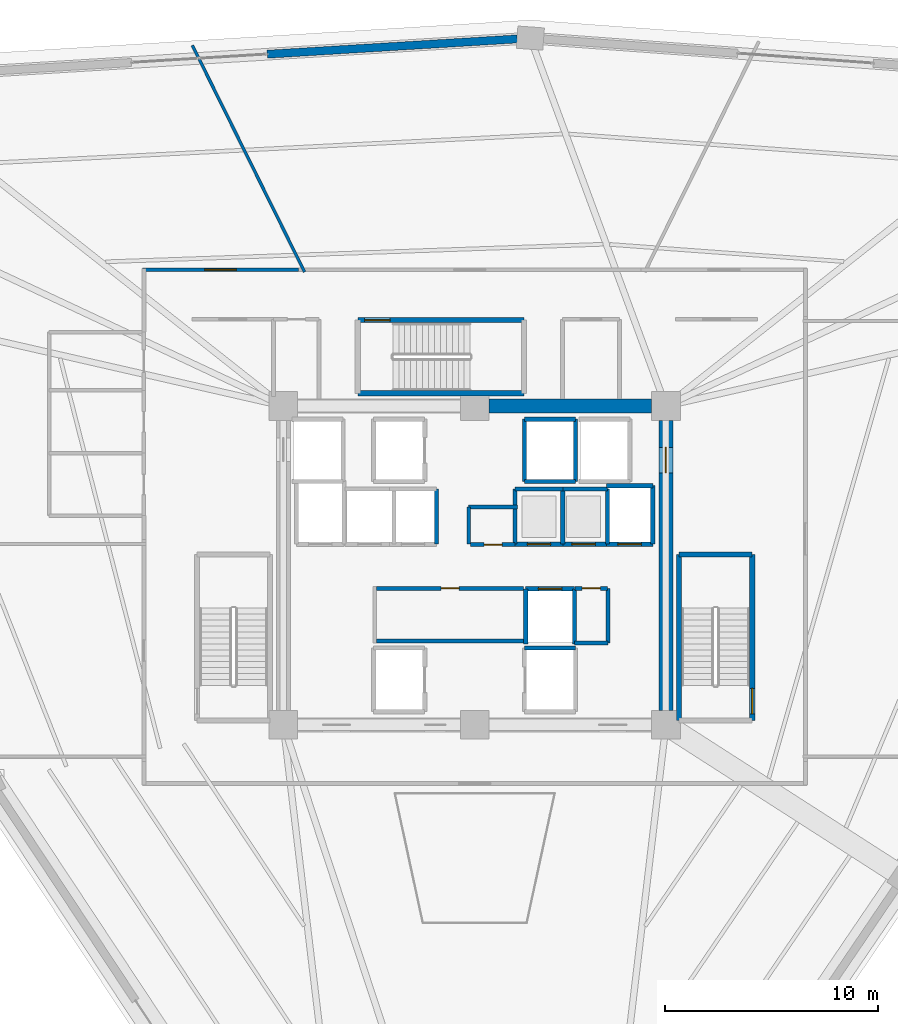
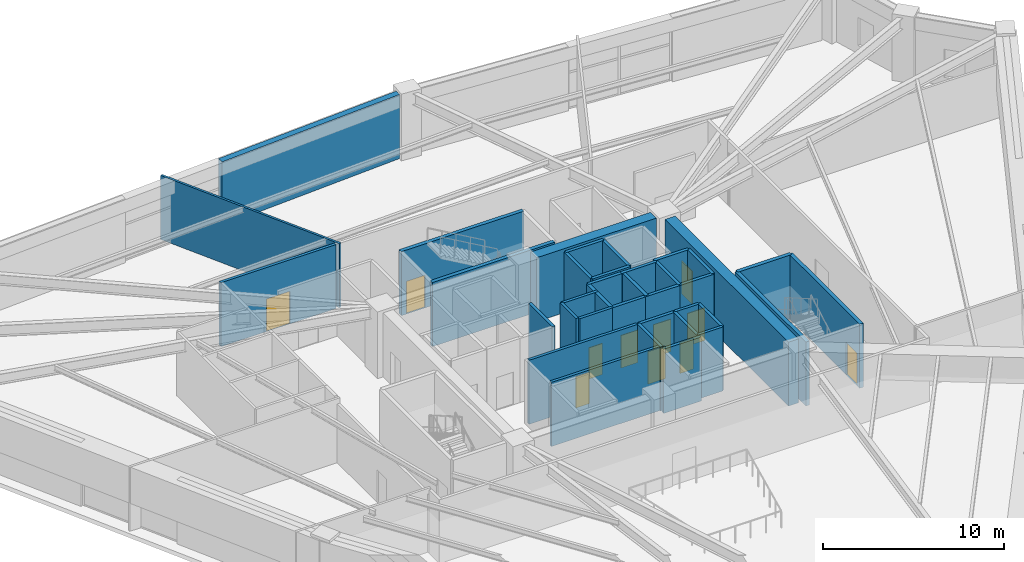
# One storey, part 34 of 39: 37 walls, 11 doors, 11 openings.
"""IFC4 building model written with IfcOpenShell, lengths in metres."""

from ifc_helpers import new_model, si_unit, direction, frame, frame_2d, origin, place, context, subcontext, project, spatial, rectangle, extrude, source, transform, mapped, material, layer, layer_set, type_object, element, fill, save


model = new_model("IFC4")

# Units and contexts
model_context = context("Model", 3, precision=1e-05, world=origin(), true_north=direction((0.0, 1.0)))
body_context = subcontext(model_context, "Body", "Model", "MODEL_VIEW")
ifc_project = project(units=[si_unit("LENGTHUNIT", "METRE"), si_unit("AREAUNIT", "SQUARE_METRE"), si_unit("VOLUMEUNIT", "CUBIC_METRE"), si_unit("PLANEANGLEUNIT", "RADIAN"), si_unit("MASSUNIT", "GRAM", prefix="KILO")], contexts=[model_context])

# Site, building, storey
site_placement = place(None, origin())
site = spatial("IfcSite", under=ifc_project, at=site_placement, CompositionType="ELEMENT")
building_placement = place(site_placement, origin())
building = spatial("IfcBuilding", under=site, at=building_placement, Name="Liaohun Quay Tower", CompositionType="ELEMENT")
storey_placement = place(building_placement, frame((0.0, 0.0, 189.75)))
storey = spatial("IfcBuildingStorey", under=building, at=storey_placement, Name="L49", CompositionType="ELEMENT", Elevation=189.75)

# Wall
ifc_material_1 = material(Name="Concrete C55", Category="concrete")
ifc_layer_1 = layer(ifc_material_1, 0.64990234375, Name="Concrete C55", Category="concrete")
ifc_layer_set_1 = layer_set([ifc_layer_1], Name="Concrete C55")
wall_type_1 = type_object("IfcWallType", Name="WAL-COR-Z3", PredefinedType="SHEAR", material=ifc_layer_set_1)
wall_1_placement = place(storey_placement, frame((60.675048828125, 61.5, 0.0), z_axis=(0.0, 0.0, 1.0), x_axis=(1.0, 0.0, 0.0)))
element("IfcWall", 1, at=wall_1_placement, inside=storey, type_object=wall_type_1, Name="L49 Central Core Shear Wall N-E", PredefinedType="SHEAR", context=body_context, shape_type="SweptSolid", body=[
    extrude(rectangle(XDim=7.64990234375, YDim=0.64990234375, at=frame_2d((3.824951171875, 0.0))), origin(), (0.0, 0.0, 1.0), 4.320068359375),
])

# Wall, opening, door
wall_2_placement = place(storey_placement, frame((69.0, 60.824951171875, 0.0), z_axis=(0.0, 0.0, 1.0), x_axis=(0.0, -1.0, 0.0)))
wall_2 = element("IfcWall", 2, at=wall_2_placement, inside=storey, type_object=wall_type_1, Name="L49 Central Core Shear Wall E", PredefinedType="SHEAR", context=body_context, shape_type="SweptSolid", body=[
    extrude(rectangle(XDim=13.64990234375, YDim=0.64990234375, at=frame_2d((6.824951171875, 0.0))), origin(), (0.0, 0.0, 1.0), 4.320068359375),
])
shared_shape_1 = source(origin(), body_context, "Body", "SweptSolid", [
    extrude(rectangle(XDim=1.199951171875, YDim=2.199951171875, at=frame_2d((0.60009765625, 1.10009765625))), frame((0.0, 0.3349609375, 0.0), z_axis=(0.0, -1.0, 0.0), x_axis=(1.0, 0.0, 0.0)), (0.0, 0.0, 1.0), 0.669921875),
])
opening_1_placement = place(wall_2_placement, frame((1.27490234375, 0.0, 0.0)))
opening_1 = element("IfcOpeningElement", 3, at=opening_1_placement, cuts=wall_2, Name="Opening SD1", PredefinedType="OPENING", context=body_context, shape_type="MappedRepresentation", body=[
    mapped(shared_shape_1, transform((0.0, 0.0, 0.0), x_axis=(1.0, 0.0, 0.0), y_axis=(0.0, 1.0, 0.0), z_axis=(0.0, 0.0, 1.0), scale=1.0)),
])
ifc_material_2 = material(Name="Galvanised steel fire door", Category="steel")
door_type_1 = type_object("IfcDoorType", Name="DOR-STR-1200", OperationType="NOTDEFINED", PredefinedType="DOOR", material=ifc_material_2)
shared_shape_2 = source(origin(), body_context, "Body", "SweptSolid", [
    extrude(rectangle(XDim=1.199951171875, YDim=2.199951171875, at=frame_2d((0.60009765625, 1.10009765625))), frame((0.0, 0.02490234375, 0.0), z_axis=(0.0, -1.0, 0.0), x_axis=(1.0, 0.0, 0.0)), (0.0, 0.0, 1.0), 0.050048828125),
])
door_1_placement = place(opening_1_placement, origin())
door_1 = element("IfcDoor", 4, at=door_1_placement, inside=storey, type_object=door_type_1, Name="L49 North-East Core Lobby Smokeproof Door", OperationType="SINGLE_SWING_LEFT", OverallHeight=2.199951171875, OverallWidth=1.199951171875, PredefinedType="DOOR", context=body_context, shape_type="MappedRepresentation", body=[
    mapped(shared_shape_2, transform((0.0, 0.0, 0.0), x_axis=(1.0, 0.0, 0.0), y_axis=(0.0, 1.0, 0.0), z_axis=(0.0, 0.0, 1.0), scale=1.0)),
])
fill(opening_1, door_1)

# Wall
ifc_material_3 = material(Name="Precast concrete C50 insulated sandwich", Category="concrete")
ifc_layer_2 = layer(ifc_material_3, 0.3798828125, Name="Precast concrete C50 insulated sandwich", Category="concrete")
ifc_layer_set_2 = layer_set([ifc_layer_2], Name="Precast concrete C50 insulated sandwich")
wall_type_2 = type_object("IfcWallType", Name="WAL-EXT-Z34", PredefinedType="SOLIDWALL", material=ifc_layer_set_2)
wall_3_placement = place(storey_placement, frame((62.006103515625, 78.77392578125, 0.0), z_axis=(0.0, 0.0, 1.0), x_axis=(-0.998131884523, -0.061096162719, 0.0)))
element("IfcWall", 5, at=wall_3_placement, inside=storey, type_object=wall_type_2, Name="L49 Belvedere Flank Pier Wall 07L", PredefinedType="SOLIDWALL", context=body_context, shape_type="SweptSolid", body=[
    extrude(rectangle(XDim=11.7841796875, YDim=0.3798828125, at=frame_2d((5.89208984375, 0.0))), origin(), (0.0, 0.0, 1.0), 4.320068359375),
])

# Wall, opening, door
ifc_material_4 = material(Name="Autoclaved aerated concrete blockwork", Category="masonry")
ifc_layer_3 = layer(ifc_material_4, 0.179931640625, Name="Autoclaved aerated concrete blockwork", Category="masonry")
ifc_layer_set_3 = layer_set([ifc_layer_3], Name="Autoclaved aerated concrete blockwork")
wall_type_3 = type_object("IfcWallType", Name="WAL-PRT-COR", PredefinedType="PARTITIONING", material=ifc_layer_set_3)
wall_4_placement = place(storey_placement, frame((55.389892578125, 52.919921875, 0.0), z_axis=(0.0, 0.0, 1.0), x_axis=(1.0, 0.0, 0.0)))
wall_4 = element("IfcWall", 6, at=wall_4_placement, inside=storey, type_object=wall_type_3, Name="L49 Interior Partition Wall 001", PredefinedType="PARTITIONING", context=body_context, shape_type="SweptSolid", body=[
    extrude(rectangle(XDim=6.91015625, YDim=0.179931640625, at=frame_2d((3.455078125, 0.0))), origin(), (0.0, 0.0, 1.0), 4.320068359375),
])
shared_shape_3 = source(origin(), body_context, "Body", "SweptSolid", [
    extrude(rectangle(XDim=0.85009765625, YDim=2.10009765625, at=frame_2d((0.425048828125, 1.050048828125))), frame((0.0, 0.099853515625, 0.0), z_axis=(0.0, -1.0, 0.0), x_axis=(1.0, 0.0, 0.0)), (0.0, 0.0, 1.0), 0.199951171875),
])
opening_2_placement = place(wall_4_placement, frame((3.034912109375, 0.0, 0.0)))
opening_2 = element("IfcOpeningElement", 7, at=opening_2_placement, cuts=wall_4, Name="Opening AD1", PredefinedType="OPENING", context=body_context, shape_type="MappedRepresentation", body=[
    mapped(shared_shape_3, transform((0.0, 0.0, 0.0), x_axis=(1.0, 0.0, 0.0), y_axis=(0.0, 1.0, 0.0), z_axis=(0.0, 0.0, 1.0), scale=1.0)),
])
ifc_material_5 = material(Name="Steel riser inspection fire door", Category="steel")
door_type_2 = type_object("IfcDoorType", Name="DOR-SHF-850", OperationType="NOTDEFINED", PredefinedType="DOOR", material=ifc_material_5)
shared_shape_4 = source(origin(), body_context, "Body", "SweptSolid", [
    extrude(rectangle(XDim=0.85009765625, YDim=2.10009765625, at=frame_2d((0.425048828125, 1.050048828125))), frame((0.0, 0.02490234375, 0.0), z_axis=(0.0, -1.0, 0.0), x_axis=(1.0, 0.0, 0.0)), (0.0, 0.0, 1.0), 0.050048828125),
])
door_2_placement = place(opening_2_placement, origin())
door_2 = element("IfcDoor", 8, at=door_2_placement, inside=storey, type_object=door_type_2, Name="L49 Core Tenant Storage and Archive Room Door", OperationType="SINGLE_SWING_LEFT", OverallHeight=2.10009765625, OverallWidth=0.85009765625, PredefinedType="DOOR", context=body_context, shape_type="MappedRepresentation", body=[
    mapped(shared_shape_4, transform((0.0, 0.0, 0.0), x_axis=(1.0, 0.0, 0.0), y_axis=(0.0, 1.0, 0.0), z_axis=(0.0, 0.0, 1.0), scale=1.0)),
])
fill(opening_2, door_2)

wall_5_placement = place(storey_placement, frame((59.81005859375, 54.97998046875, 0.0), z_axis=(0.0, 0.0, 1.0), x_axis=(1.0, 0.0, 0.0)))
wall_5 = element("IfcWall", 9, at=wall_5_placement, inside=storey, type_object=wall_type_3, Name="L49 Interior Partition Wall 002", PredefinedType="PARTITIONING", context=body_context, shape_type="SweptSolid", body=[
    extrude(rectangle(XDim=2.08984375, YDim=0.179931640625, at=frame_2d((1.044921875, 0.0))), origin(), (0.0, 0.0, 1.0), 4.320068359375),
])
opening_3_placement = place(wall_5_placement, frame((0.635009765625, 0.0, 0.0)))
opening_3 = element("IfcOpeningElement", 10, at=opening_3_placement, cuts=wall_5, Name="Opening AD1", PredefinedType="OPENING", context=body_context, shape_type="MappedRepresentation", body=[
    mapped(shared_shape_3, transform((0.0, 0.0, 0.0), x_axis=(1.0, 0.0, 0.0), y_axis=(0.0, 1.0, 0.0), z_axis=(0.0, 0.0, 1.0), scale=1.0)),
])
door_3_placement = place(opening_3_placement, origin())
door_3 = element("IfcDoor", 11, at=door_3_placement, inside=storey, type_object=door_type_2, Name="L49 Electrical Meter Room Door", OperationType="SINGLE_SWING_RIGHT", OverallHeight=2.10009765625, OverallWidth=0.85009765625, PredefinedType="DOOR", context=body_context, shape_type="MappedRepresentation", body=[
    mapped(shared_shape_4, transform((0.0, 0.0, 0.0), x_axis=(1.0, 0.0, 0.0), y_axis=(0.0, 1.0, 0.0), z_axis=(0.0, 0.0, 1.0), scale=1.0)),
])
fill(opening_3, door_3)

wall_6_placement = place(storey_placement, frame((64.719970703125, 52.919921875, 0.0), z_axis=(0.0, 0.0, 1.0), x_axis=(1.0, 0.0, 0.0)))
wall_6 = element("IfcWall", 12, at=wall_6_placement, inside=storey, type_object=wall_type_3, Name="L49 Interior Partition Wall 003", PredefinedType="PARTITIONING", context=body_context, shape_type="SweptSolid", body=[
    extrude(rectangle(XDim=1.530029296875, YDim=0.179931640625, at=frame_2d((0.76513671875, 0.0))), origin(), (0.0, 0.0, 1.0), 4.320068359375),
])
opening_4_placement = place(wall_6_placement, frame((0.340087890625, 0.0, 0.0)))
opening_4 = element("IfcOpeningElement", 13, at=opening_4_placement, cuts=wall_6, Name="Opening AD1", PredefinedType="OPENING", context=body_context, shape_type="MappedRepresentation", body=[
    mapped(shared_shape_3, transform((0.0, 0.0, 0.0), x_axis=(1.0, 0.0, 0.0), y_axis=(0.0, 1.0, 0.0), z_axis=(0.0, 0.0, 1.0), scale=1.0)),
])
door_4_placement = place(opening_4_placement, origin())
door_4 = element("IfcDoor", 14, at=door_4_placement, inside=storey, type_object=door_type_2, Name="L49 BMS Data Riser Room Door", OperationType="SINGLE_SWING_LEFT", OverallHeight=2.10009765625, OverallWidth=0.85009765625, PredefinedType="DOOR", context=body_context, shape_type="MappedRepresentation", body=[
    mapped(shared_shape_4, transform((0.0, 0.0, 0.0), x_axis=(1.0, 0.0, 0.0), y_axis=(0.0, 1.0, 0.0), z_axis=(0.0, 0.0, 1.0), scale=1.0)),
])
fill(opening_4, door_4)

wall_7_placement = place(storey_placement, frame((44.3701171875, 67.909912109375, 0.0), z_axis=(0.0, 0.0, 1.0), x_axis=(1.0, 0.0, 0.0)))
wall_7 = element("IfcWall", 15, at=wall_7_placement, inside=storey, type_object=wall_type_3, Name="L49 Interior Partition Wall 014", PredefinedType="PARTITIONING", context=body_context, shape_type="SweptSolid", body=[
    extrude(rectangle(XDim=7.343994140625, YDim=0.179931640625, at=frame_2d((3.671875, 0.0))), origin(), (0.0, 0.0, 1.0), 4.320068359375),
])
shared_shape_5 = source(origin(), body_context, "Body", "SweptSolid", [
    extrude(rectangle(XDim=1.5, YDim=2.199951171875, at=frame_2d((0.75, 1.10009765625))), frame((0.0, 0.099853515625, 0.0), z_axis=(0.0, -1.0, 0.0), x_axis=(1.0, 0.0, 0.0)), (0.0, 0.0, 1.0), 0.199951171875),
])
opening_5_placement = place(wall_7_placement, frame((2.922119140625, 0.0, 0.0)))
opening_5 = element("IfcOpeningElement", 16, at=opening_5_placement, cuts=wall_7, Name="Opening OD2", PredefinedType="OPENING", context=body_context, shape_type="MappedRepresentation", body=[
    mapped(shared_shape_5, transform((0.0, 0.0, 0.0), x_axis=(1.0, 0.0, 0.0), y_axis=(0.0, 1.0, 0.0), z_axis=(0.0, 0.0, 1.0), scale=1.0)),
])
ifc_material_6 = material(Name="Acoustic oak veneer double door")
door_type_3 = type_object("IfcDoorType", Name="DOR-OFF-1500", OperationType="DOUBLE_DOOR_SINGLE_SWING", PredefinedType="DOOR", material=ifc_material_6)
shared_shape_6 = source(origin(), body_context, "Body", "SweptSolid", [
    extrude(rectangle(XDim=1.5, YDim=2.199951171875, at=frame_2d((0.75, 1.10009765625))), frame((0.0, 0.02490234375, 0.0), z_axis=(0.0, -1.0, 0.0), x_axis=(1.0, 0.0, 0.0)), (0.0, 0.0, 1.0), 0.050048828125),
])
door_5_placement = place(opening_5_placement, origin())
door_5 = element("IfcDoor", 17, at=door_5_placement, inside=storey, type_object=door_type_3, Name="L49 Sky Espresso Lounge 04 Door", OperationType="DOUBLE_DOOR_SINGLE_SWING", OverallHeight=2.199951171875, OverallWidth=1.5, PredefinedType="DOOR", context=body_context, shape_type="MappedRepresentation", body=[
    mapped(shared_shape_6, transform((0.0, 0.0, 0.0), x_axis=(1.0, 0.0, 0.0), y_axis=(0.0, 1.0, 0.0), z_axis=(0.0, 0.0, 1.0), scale=1.0)),
])
fill(opening_5, door_5)

# Walls
wall_8_placement = place(storey_placement, frame((59.719970703125, 55.02001953125, 0.0), z_axis=(0.0, 0.0, 1.0), x_axis=(0.0, 1.0, 0.0)))
element("IfcWall", 18, at=wall_8_placement, inside=storey, type_object=wall_type_3, Name="L49 Interior Partition Wall 017", PredefinedType="PARTITIONING", context=body_context, shape_type="SweptSolid", body=[
    extrude(rectangle(XDim=1.72998046875, YDim=0.179931640625, at=frame_2d((0.864990234375, 0.0))), origin(), (0.0, 0.0, 1.0), 4.320068359375),
])
wall_9_placement = place(storey_placement, frame((59.719970703125, 56.75, 0.0), z_axis=(0.0, 0.0, 1.0), x_axis=(1.0, 0.0, 0.0)))
element("IfcWall", 19, at=wall_9_placement, inside=storey, type_object=wall_type_3, Name="L49 Interior Partition Wall 018", PredefinedType="PARTITIONING", context=body_context, shape_type="SweptSolid", body=[
    extrude(rectangle(XDim=2.2900390625, YDim=0.179931640625, at=frame_2d((1.14501953125, 0.0))), origin(), (0.0, 0.0, 1.0), 4.320068359375),
])
wall_10_placement = place(storey_placement, frame((64.68994140625, 50.35009765625, 0.0), z_axis=(0.0, 0.0, 1.0), x_axis=(1.0, 0.0, 0.0)))
element("IfcWall", 20, at=wall_10_placement, inside=storey, type_object=wall_type_3, Name="L49 Interior Partition Wall 019", PredefinedType="PARTITIONING", context=body_context, shape_type="SweptSolid", body=[
    extrude(rectangle(XDim=1.590087890625, YDim=0.179931640625, at=frame_2d((0.794921875, 0.0))), origin(), (0.0, 0.0, 1.0), 4.320068359375),
])
wall_11_placement = place(storey_placement, frame((66.280029296875, 50.35009765625, 0.0), z_axis=(0.0, 0.0, 1.0), x_axis=(0.0, 1.0, 0.0)))
element("IfcWall", 21, at=wall_11_placement, inside=storey, type_object=wall_type_3, Name="L49 Interior Partition Wall 020", PredefinedType="PARTITIONING", context=body_context, shape_type="SweptSolid", body=[
    extrude(rectangle(XDim=2.56982421875, YDim=0.179931640625, at=frame_2d((1.284912109375, 0.0))), origin(), (0.0, 0.0, 1.0), 4.320068359375),
])
wall_12_placement = place(storey_placement, frame((55.389892578125, 50.449951171875, 0.0), z_axis=(0.0, 0.0, 1.0), x_axis=(1.0, 0.0, 0.0)))
element("IfcWall", 22, at=wall_12_placement, inside=storey, type_object=wall_type_3, Name="L49 Interior Partition Wall 042", PredefinedType="PARTITIONING", context=body_context, shape_type="SweptSolid", body=[
    extrude(rectangle(XDim=6.91015625, YDim=0.179931640625, at=frame_2d((3.455078125, 0.0))), origin(), (0.0, 0.0, 1.0), 4.320068359375),
])
ifc_material_7 = material(Name="Gypsum board on twin steel studs", Category="steel")
ifc_layer_4 = layer(ifc_material_7, 0.139892578125, Name="Gypsum board on twin steel studs", Category="steel")
ifc_layer_set_4 = layer_set([ifc_layer_4], Name="Gypsum board on twin steel studs")
wall_type_4 = type_object("IfcWallType", Name="WAL-PRT-OFF", PredefinedType="PARTITIONING", material=ifc_layer_set_4)
wall_13_placement = place(storey_placement, frame((51.9951171875, 67.81005859375, 0.0), z_axis=(0.0, 0.0, 1.0), x_axis=(-0.443655075379, 0.896197619998, 0.0)))
element("IfcWall", 23, at=wall_13_placement, inside=storey, type_object=wall_type_4, Name="L49 Interior Partition Wall 039", PredefinedType="PARTITIONING", context=body_context, shape_type="SweptSolid", body=[
    extrude(rectangle(XDim=11.89453125, YDim=0.139892578125, at=frame_2d((5.947265625, 0.0))), origin(), (0.0, 0.0, 1.0), 4.320068359375),
])

# Wall, opening, door
ifc_material_8 = material(Name="Concrete C50", Category="concrete")
ifc_layer_5 = layer(ifc_material_8, 0.239990234375, Name="Concrete C50", Category="concrete")
ifc_layer_set_5 = layer_set([ifc_layer_5], Name="Concrete C50")
wall_type_5 = type_object("IfcWallType", Name="WAL-SHF-200", PredefinedType="SOLIDWALL", material=ifc_layer_set_5)
wall_14_placement = place(storey_placement, frame((73.06005859375, 46.699951171875, 0.0), z_axis=(0.0, 0.0, 1.0), x_axis=(0.0, 1.0, 0.0)))
wall_14 = element("IfcWall", 24, at=wall_14_placement, inside=storey, type_object=wall_type_5, Name="L49 Stairwell ST-2 Structural Core Wall E", PredefinedType="SOLIDWALL", context=body_context, shape_type="SweptSolid", body=[
    extrude(rectangle(XDim=7.820068359375, YDim=0.239990234375, at=frame_2d((3.91015625, 0.0))), origin(), (0.0, 0.0, 1.0), 4.320068359375),
])
shared_shape_7 = source(origin(), body_context, "Body", "SweptSolid", [
    extrude(rectangle(XDim=1.199951171875, YDim=2.199951171875, at=frame_2d((0.60009765625, 1.10009765625))), frame((0.0, 0.1298828125, 0.0), z_axis=(0.0, -1.0, 0.0), x_axis=(1.0, 0.0, 0.0)), (0.0, 0.0, 1.0), 0.260009765625),
])
opening_6_placement = place(wall_14_placement, frame((0.320068359375, 0.0, 0.0)))
opening_6 = element("IfcOpeningElement", 25, at=opening_6_placement, cuts=wall_14, Name="Opening SD1", PredefinedType="OPENING", context=body_context, shape_type="MappedRepresentation", body=[
    mapped(shared_shape_7, transform((0.0, 0.0, 0.0), x_axis=(1.0, 0.0, 0.0), y_axis=(0.0, 1.0, 0.0), z_axis=(0.0, 0.0, 1.0), scale=1.0)),
])
door_6_placement = place(opening_6_placement, origin())
door_6 = element("IfcDoor", 26, at=door_6_placement, inside=storey, type_object=door_type_1, Name="L49 Protected Stair ST-2 Fire Door", OperationType="SINGLE_SWING_RIGHT", OverallHeight=2.199951171875, OverallWidth=1.199951171875, PredefinedType="DOOR", context=body_context, shape_type="MappedRepresentation", body=[
    mapped(shared_shape_2, transform((0.0, 0.0, 0.0), x_axis=(1.0, 0.0, 0.0), y_axis=(0.0, 1.0, 0.0), z_axis=(0.0, 0.0, 1.0), scale=1.0)),
])
fill(opening_6, door_6)

# Walls
wall_15_placement = place(storey_placement, frame((73.06005859375, 54.52001953125, 0.0), z_axis=(0.0, 0.0, 1.0), x_axis=(-1.0, 0.0, 0.0)))
element("IfcWall", 27, at=wall_15_placement, inside=storey, type_object=wall_type_5, Name="L49 Stairwell ST-2 Structural Core Wall N", PredefinedType="SOLIDWALL", context=body_context, shape_type="SweptSolid", body=[
    extrude(rectangle(XDim=3.43994140625, YDim=0.239990234375, at=frame_2d((1.719970703125, 0.0))), origin(), (0.0, 0.0, 1.0), 4.320068359375),
])
for number, where, z_axis, x_axis, name in (
    (28, (69.6201171875, 54.52001953125, 0.0), (0.0, 0.0, 1.0), (0.0, -1.0, 0.0), "L49 Stairwell ST-2 Structural Core Wall W"),
    (29, (54.5, 62.10009765625, 0.0), (0.0, 0.0, 1.0), (1.0, 0.0, 0.0), "L49 Stairwell ST-3 Structural Core Wall S"),
):
    element("IfcWall", number, at=place(storey_placement, frame(where, z_axis=z_axis, x_axis=x_axis)), inside=storey, type_object=wall_type_5, Name=name, PredefinedType="SOLIDWALL", context=body_context, shape_type="SweptSolid", body=[
        extrude(rectangle(XDim=7.820068359375, YDim=0.239990234375, at=frame_2d((3.91015625, 0.0))), origin(), (0.0, 0.0, 1.0), 4.320068359375),
    ])

# Wall, opening, door
wall_16_placement = place(storey_placement, frame((62.320068359375, 65.5400390625, 0.0), z_axis=(0.0, 0.0, 1.0), x_axis=(-1.0, 0.0, 0.0)))
wall_16 = element("IfcWall", 30, at=wall_16_placement, inside=storey, type_object=wall_type_5, Name="L49 Stairwell ST-3 Structural Core Wall N", PredefinedType="SOLIDWALL", context=body_context, shape_type="SweptSolid", body=[
    extrude(rectangle(XDim=7.820068359375, YDim=0.239990234375, at=frame_2d((3.91015625, 0.0))), origin(), (0.0, 0.0, 1.0), 4.320068359375),
])
opening_7_placement = place(wall_16_placement, frame((6.300048828125, 0.0, 0.0)))
opening_7 = element("IfcOpeningElement", 31, at=opening_7_placement, cuts=wall_16, Name="Opening SD1", PredefinedType="OPENING", context=body_context, shape_type="MappedRepresentation", body=[
    mapped(shared_shape_7, transform((0.0, 0.0, 0.0), x_axis=(1.0, 0.0, 0.0), y_axis=(0.0, 1.0, 0.0), z_axis=(0.0, 0.0, 1.0), scale=1.0)),
])
door_7_placement = place(opening_7_placement, origin())
door_7 = element("IfcDoor", 32, at=door_7_placement, inside=storey, type_object=door_type_1, Name="L49 Protected Stair ST-3 Fire Door", OperationType="SINGLE_SWING_RIGHT", OverallHeight=2.199951171875, OverallWidth=1.199951171875, PredefinedType="DOOR", context=body_context, shape_type="MappedRepresentation", body=[
    mapped(shared_shape_2, transform((0.0, 0.0, 0.0), x_axis=(1.0, 0.0, 0.0), y_axis=(0.0, 1.0, 0.0), z_axis=(0.0, 0.0, 1.0), scale=1.0)),
])
fill(opening_7, door_7)

# Walls
for number, where, z_axis, x_axis, name in (
    (33, (64.75, 50.1201171875, 0.0), (0.0, 0.0, 1.0), (-1.0, 0.0, 0.0), "L49 Lift FF-02 Hoistway Wall N"),
    (34, (62.35009765625, 57.949951171875, 0.0), (0.0, 0.0, 1.0), (1.0, 0.0, 0.0), "L49 Lift OB-01 Hoistway Wall S"),
):
    element("IfcWall", number, at=place(storey_placement, frame(where, z_axis=z_axis, x_axis=x_axis)), inside=storey, type_object=wall_type_5, Name=name, PredefinedType="SOLIDWALL", context=body_context, shape_type="SweptSolid", body=[
        extrude(rectangle(XDim=2.39990234375, YDim=0.199951171875, at=frame_2d((1.199951171875, 0.0))), origin(), (0.0, 0.0, 1.0), 4.320068359375),
    ])
wall_17_placement = place(storey_placement, frame((64.75, 57.949951171875, 0.0), z_axis=(0.0, 0.0, 1.0), x_axis=(0.0, 1.0, 0.0)))
element("IfcWall", 35, at=wall_17_placement, inside=storey, type_object=wall_type_5, Name="L49 Lift OB-01 Hoistway Wall E", PredefinedType="SOLIDWALL", context=body_context, shape_type="SweptSolid", body=[
    extrude(rectangle(XDim=2.929931640625, YDim=0.199951171875, at=frame_2d((1.46484375, 0.0))), origin(), (0.0, 0.0, 1.0), 4.320068359375),
])
wall_18_placement = place(storey_placement, frame((64.75, 60.8798828125, 0.0), z_axis=(0.0, 0.0, 1.0), x_axis=(-1.0, 0.0, 0.0)))
element("IfcWall", 36, at=wall_18_placement, inside=storey, type_object=wall_type_5, Name="L49 Lift OB-01 Hoistway Wall N", PredefinedType="SOLIDWALL", context=body_context, shape_type="SweptSolid", body=[
    extrude(rectangle(XDim=2.39990234375, YDim=0.199951171875, at=frame_2d((1.199951171875, 0.0))), origin(), (0.0, 0.0, 1.0), 4.320068359375),
])
wall_19_placement = place(storey_placement, frame((62.35009765625, 60.8798828125, 0.0), z_axis=(0.0, 0.0, 1.0), x_axis=(0.0, -1.0, 0.0)))
element("IfcWall", 37, at=wall_19_placement, inside=storey, type_object=wall_type_5, Name="L49 Lift OB-01 Hoistway Wall W", PredefinedType="SOLIDWALL", context=body_context, shape_type="SweptSolid", body=[
    extrude(rectangle(XDim=2.929931640625, YDim=0.199951171875, at=frame_2d((1.46484375, 0.0))), origin(), (0.0, 0.0, 1.0), 4.320068359375),
])

# Wall, opening, door
wall_20_placement = place(storey_placement, frame((66.199951171875, 55.0, 0.0), z_axis=(0.0, 0.0, 1.0), x_axis=(1.0, 0.0, 0.0)))
wall_20 = element("IfcWall", 38, at=wall_20_placement, inside=storey, type_object=wall_type_5, Name="L49 Lift SH-03 Hoistway Wall S", PredefinedType="SOLIDWALL", context=body_context, shape_type="SweptSolid", body=[
    extrude(rectangle(XDim=2.179931640625, YDim=0.199951171875, at=frame_2d((1.08984375, 0.0))), origin(), (0.0, 0.0, 1.0), 4.320068359375),
])
shared_shape_8 = source(origin(), body_context, "Body", "SweptSolid", [
    extrude(rectangle(XDim=1.10009765625, YDim=2.199951171875, at=frame_2d((0.550048828125, 1.10009765625))), frame((0.0, 0.10986328125, 0.0), z_axis=(0.0, -1.0, 0.0), x_axis=(1.0, 0.0, 0.0)), (0.0, 0.0, 1.0), 0.219970703125),
])
opening_8_placement = place(wall_20_placement, frame((0.5400390625, 0.0, 0.0)))
opening_8 = element("IfcOpeningElement", 39, at=opening_8_placement, cuts=wall_20, Name="Opening LD1", PredefinedType="OPENING", context=body_context, shape_type="MappedRepresentation", body=[
    mapped(shared_shape_8, transform((0.0, 0.0, 0.0), x_axis=(1.0, 0.0, 0.0), y_axis=(0.0, 1.0, 0.0), z_axis=(0.0, 0.0, 1.0), scale=1.0)),
])
ifc_material_9 = material(Name="Brushed stainless steel landing door", Category="steel")
door_type_4 = type_object("IfcDoorType", Name="DOR-LFT-1100", OperationType="SLIDING_TO_LEFT", PredefinedType="DOOR", material=ifc_material_9)
shared_shape_9 = source(origin(), body_context, "Body", "SweptSolid", [
    extrude(rectangle(XDim=1.10009765625, YDim=2.199951171875, at=frame_2d((0.550048828125, 1.10009765625))), frame((0.0, 0.02490234375, 0.0), z_axis=(0.0, -1.0, 0.0), x_axis=(1.0, 0.0, 0.0)), (0.0, 0.0, 1.0), 0.050048828125),
])
door_8_placement = place(opening_8_placement, origin())
door_8 = element("IfcDoor", 40, at=door_8_placement, inside=storey, type_object=door_type_4, Name="L49 Lift SH-03 Sliding Landing Door", OperationType="SLIDING_TO_LEFT", OverallHeight=2.199951171875, OverallWidth=1.10009765625, PredefinedType="DOOR", context=body_context, shape_type="MappedRepresentation", body=[
    mapped(shared_shape_9, transform((0.0, 0.0, 0.0), x_axis=(1.0, 0.0, 0.0), y_axis=(0.0, 1.0, 0.0), z_axis=(0.0, 0.0, 1.0), scale=1.0)),
])
fill(opening_8, door_8)

# Walls
wall_21_placement = place(storey_placement, frame((68.3798828125, 55.0, 0.0), z_axis=(0.0, 0.0, 1.0), x_axis=(0.0, 1.0, 0.0)))
element("IfcWall", 41, at=wall_21_placement, inside=storey, type_object=wall_type_5, Name="L49 Lift SH-03 Hoistway Wall E", PredefinedType="SOLIDWALL", context=body_context, shape_type="SweptSolid", body=[
    extrude(rectangle(XDim=2.75, YDim=0.199951171875, at=frame_2d((1.375, 0.0))), origin(), (0.0, 0.0, 1.0), 4.320068359375),
])
wall_22_placement = place(storey_placement, frame((68.3798828125, 57.75, 0.0), z_axis=(0.0, 0.0, 1.0), x_axis=(-1.0, 0.0, 0.0)))
element("IfcWall", 42, at=wall_22_placement, inside=storey, type_object=wall_type_5, Name="L49 Lift SH-03 Hoistway Wall N", PredefinedType="SOLIDWALL", context=body_context, shape_type="SweptSolid", body=[
    extrude(rectangle(XDim=2.179931640625, YDim=0.199951171875, at=frame_2d((1.08984375, 0.0))), origin(), (0.0, 0.0, 1.0), 4.320068359375),
])
wall_23_placement = place(storey_placement, frame((64.699951171875, 50.300048828125, 0.0), z_axis=(0.0, 0.0, 1.0), x_axis=(0.0, 1.0, 0.0)))
element("IfcWall", 43, at=wall_23_placement, inside=storey, type_object=wall_type_5, Name="L49 Lift PL-2A Hoistway Wall E", PredefinedType="SOLIDWALL", context=body_context, shape_type="SweptSolid", body=[
    extrude(rectangle(XDim=2.599853515625, YDim=0.199951171875, at=frame_2d((1.2998046875, 0.0))), origin(), (0.0, 0.0, 1.0), 4.320068359375),
])

# Wall, opening, door
wall_24_placement = place(storey_placement, frame((64.699951171875, 52.89990234375, 0.0), z_axis=(0.0, 0.0, 1.0), x_axis=(-1.0, 0.0, 0.0)))
wall_24 = element("IfcWall", 44, at=wall_24_placement, inside=storey, type_object=wall_type_5, Name="L49 Lift PL-2A Hoistway Wall N", PredefinedType="SOLIDWALL", context=body_context, shape_type="SweptSolid", body=[
    extrude(rectangle(XDim=2.300048828125, YDim=0.199951171875, at=frame_2d((1.14990234375, 0.0))), origin(), (0.0, 0.0, 1.0), 4.320068359375),
])
opening_9_placement = place(wall_24_placement, frame((0.60009765625, 0.0, 0.0)))
opening_9 = element("IfcOpeningElement", 45, at=opening_9_placement, cuts=wall_24, Name="Opening LD1", PredefinedType="OPENING", context=body_context, shape_type="MappedRepresentation", body=[
    mapped(shared_shape_8, transform((0.0, 0.0, 0.0), x_axis=(1.0, 0.0, 0.0), y_axis=(0.0, 1.0, 0.0), z_axis=(0.0, 0.0, 1.0), scale=1.0)),
])
door_9_placement = place(opening_9_placement, origin())
door_9 = element("IfcDoor", 46, at=door_9_placement, inside=storey, type_object=door_type_4, Name="L49 Lift PL-2A Sliding Landing Door", OperationType="SLIDING_TO_LEFT", OverallHeight=2.199951171875, OverallWidth=1.10009765625, PredefinedType="DOOR", context=body_context, shape_type="MappedRepresentation", body=[
    mapped(shared_shape_9, transform((0.0, 0.0, 0.0), x_axis=(1.0, 0.0, 0.0), y_axis=(0.0, 1.0, 0.0), z_axis=(0.0, 0.0, 1.0), scale=1.0)),
])
fill(opening_9, door_9)

# Walls
wall_25_placement = place(storey_placement, frame((62.39990234375, 52.89990234375, 0.0), z_axis=(0.0, 0.0, 1.0), x_axis=(0.0, -1.0, 0.0)))
element("IfcWall", 47, at=wall_25_placement, inside=storey, type_object=wall_type_5, Name="L49 Lift PL-2A Hoistway Wall W", PredefinedType="SOLIDWALL", context=body_context, shape_type="SweptSolid", body=[
    extrude(rectangle(XDim=2.599853515625, YDim=0.199951171875, at=frame_2d((1.2998046875, 0.0))), origin(), (0.0, 0.0, 1.0), 4.320068359375),
])
wall_26_placement = place(storey_placement, frame((58.199951171875, 55.0, 0.0), z_axis=(0.0, 0.0, 1.0), x_axis=(0.0, 1.0, 0.0)))
element("IfcWall", 48, at=wall_26_placement, inside=storey, type_object=wall_type_5, Name="L49 Lift PL-2C Hoistway Wall E", PredefinedType="SOLIDWALL", context=body_context, shape_type="SweptSolid", body=[
    extrude(rectangle(XDim=2.60009765625, YDim=0.199951171875, at=frame_2d((1.300048828125, 0.0))), origin(), (0.0, 0.0, 1.0), 4.320068359375),
])

# Wall, opening, door
wall_27_placement = place(storey_placement, frame((61.89990234375, 55.0, 0.0), z_axis=(0.0, 0.0, 1.0), x_axis=(1.0, 0.0, 0.0)))
wall_27 = element("IfcWall", 49, at=wall_27_placement, inside=storey, type_object=wall_type_5, Name="L49 Lift PL-3A Hoistway Wall S", PredefinedType="SOLIDWALL", context=body_context, shape_type="SweptSolid", body=[
    extrude(rectangle(XDim=2.25, YDim=0.199951171875, at=frame_2d((1.125, 0.0))), origin(), (0.0, 0.0, 1.0), 4.320068359375),
])
opening_10_placement = place(wall_27_placement, frame((0.574951171875, 0.0, 0.0)))
opening_10 = element("IfcOpeningElement", 50, at=opening_10_placement, cuts=wall_27, Name="Opening LD1", PredefinedType="OPENING", context=body_context, shape_type="MappedRepresentation", body=[
    mapped(shared_shape_8, transform((0.0, 0.0, 0.0), x_axis=(1.0, 0.0, 0.0), y_axis=(0.0, 1.0, 0.0), z_axis=(0.0, 0.0, 1.0), scale=1.0)),
])
door_10_placement = place(opening_10_placement, origin())
door_10 = element("IfcDoor", 51, at=door_10_placement, inside=storey, type_object=door_type_4, Name="L49 Lift PL-3A Sliding Landing Door", OperationType="SLIDING_TO_LEFT", OverallHeight=2.199951171875, OverallWidth=1.10009765625, PredefinedType="DOOR", context=body_context, shape_type="MappedRepresentation", body=[
    mapped(shared_shape_9, transform((0.0, 0.0, 0.0), x_axis=(1.0, 0.0, 0.0), y_axis=(0.0, 1.0, 0.0), z_axis=(0.0, 0.0, 1.0), scale=1.0)),
])
fill(opening_10, door_10)

# Walls
wall_28_placement = place(storey_placement, frame((64.14990234375, 55.0, 0.0), z_axis=(0.0, 0.0, 1.0), x_axis=(0.0, 1.0, 0.0)))
element("IfcWall", 52, at=wall_28_placement, inside=storey, type_object=wall_type_5, Name="L49 Lift PL-3A Hoistway Wall E", PredefinedType="SOLIDWALL", context=body_context, shape_type="SweptSolid", body=[
    extrude(rectangle(XDim=2.60009765625, YDim=0.199951171875, at=frame_2d((1.300048828125, 0.0))), origin(), (0.0, 0.0, 1.0), 4.320068359375),
])
wall_29_placement = place(storey_placement, frame((64.14990234375, 57.60009765625, 0.0), z_axis=(0.0, 0.0, 1.0), x_axis=(-1.0, 0.0, 0.0)))
element("IfcWall", 53, at=wall_29_placement, inside=storey, type_object=wall_type_5, Name="L49 Lift PL-3A Hoistway Wall N", PredefinedType="SOLIDWALL", context=body_context, shape_type="SweptSolid", body=[
    extrude(rectangle(XDim=2.25, YDim=0.199951171875, at=frame_2d((1.125, 0.0))), origin(), (0.0, 0.0, 1.0), 4.320068359375),
])
wall_30_placement = place(storey_placement, frame((61.89990234375, 57.60009765625, 0.0), z_axis=(0.0, 0.0, 1.0), x_axis=(0.0, -1.0, 0.0)))
element("IfcWall", 54, at=wall_30_placement, inside=storey, type_object=wall_type_5, Name="L49 Lift PL-3A Hoistway Wall W", PredefinedType="SOLIDWALL", context=body_context, shape_type="SweptSolid", body=[
    extrude(rectangle(XDim=2.60009765625, YDim=0.199951171875, at=frame_2d((1.300048828125, 0.0))), origin(), (0.0, 0.0, 1.0), 4.320068359375),
])

# Wall, opening, door
wall_31_placement = place(storey_placement, frame((64.0, 55.0, 0.0), z_axis=(0.0, 0.0, 1.0), x_axis=(1.0, 0.0, 0.0)))
wall_31 = element("IfcWall", 55, at=wall_31_placement, inside=storey, type_object=wall_type_5, Name="L49 Lift PL-3B Hoistway Wall S", PredefinedType="SOLIDWALL", context=body_context, shape_type="SweptSolid", body=[
    extrude(rectangle(XDim=2.25, YDim=0.199951171875, at=frame_2d((1.125, 0.0))), origin(), (0.0, 0.0, 1.0), 4.320068359375),
])
opening_11_placement = place(wall_31_placement, frame((0.574951171875, 0.0, 0.0)))
opening_11 = element("IfcOpeningElement", 56, at=opening_11_placement, cuts=wall_31, Name="Opening LD1", PredefinedType="OPENING", context=body_context, shape_type="MappedRepresentation", body=[
    mapped(shared_shape_8, transform((0.0, 0.0, 0.0), x_axis=(1.0, 0.0, 0.0), y_axis=(0.0, 1.0, 0.0), z_axis=(0.0, 0.0, 1.0), scale=1.0)),
])
door_11_placement = place(opening_11_placement, origin())
door_11 = element("IfcDoor", 57, at=door_11_placement, inside=storey, type_object=door_type_4, Name="L49 Lift PL-3B Sliding Landing Door", OperationType="SLIDING_TO_LEFT", OverallHeight=2.199951171875, OverallWidth=1.10009765625, PredefinedType="DOOR", context=body_context, shape_type="MappedRepresentation", body=[
    mapped(shared_shape_9, transform((0.0, 0.0, 0.0), x_axis=(1.0, 0.0, 0.0), y_axis=(0.0, 1.0, 0.0), z_axis=(0.0, 0.0, 1.0), scale=1.0)),
])
fill(opening_11, door_11)

# Walls
wall_32_placement = place(storey_placement, frame((66.25, 55.0, 0.0), z_axis=(0.0, 0.0, 1.0), x_axis=(0.0, 1.0, 0.0)))
element("IfcWall", 58, at=wall_32_placement, inside=storey, type_object=wall_type_5, Name="L49 Lift PL-3B Hoistway Wall E", PredefinedType="SOLIDWALL", context=body_context, shape_type="SweptSolid", body=[
    extrude(rectangle(XDim=2.60009765625, YDim=0.199951171875, at=frame_2d((1.300048828125, 0.0))), origin(), (0.0, 0.0, 1.0), 4.320068359375),
])
wall_33_placement = place(storey_placement, frame((66.25, 57.60009765625, 0.0), z_axis=(0.0, 0.0, 1.0), x_axis=(-1.0, 0.0, 0.0)))
element("IfcWall", 59, at=wall_33_placement, inside=storey, type_object=wall_type_5, Name="L49 Lift PL-3B Hoistway Wall N", PredefinedType="SOLIDWALL", context=body_context, shape_type="SweptSolid", body=[
    extrude(rectangle(XDim=2.25, YDim=0.199951171875, at=frame_2d((1.125, 0.0))), origin(), (0.0, 0.0, 1.0), 4.320068359375),
])

save(model, "model.ifc")
